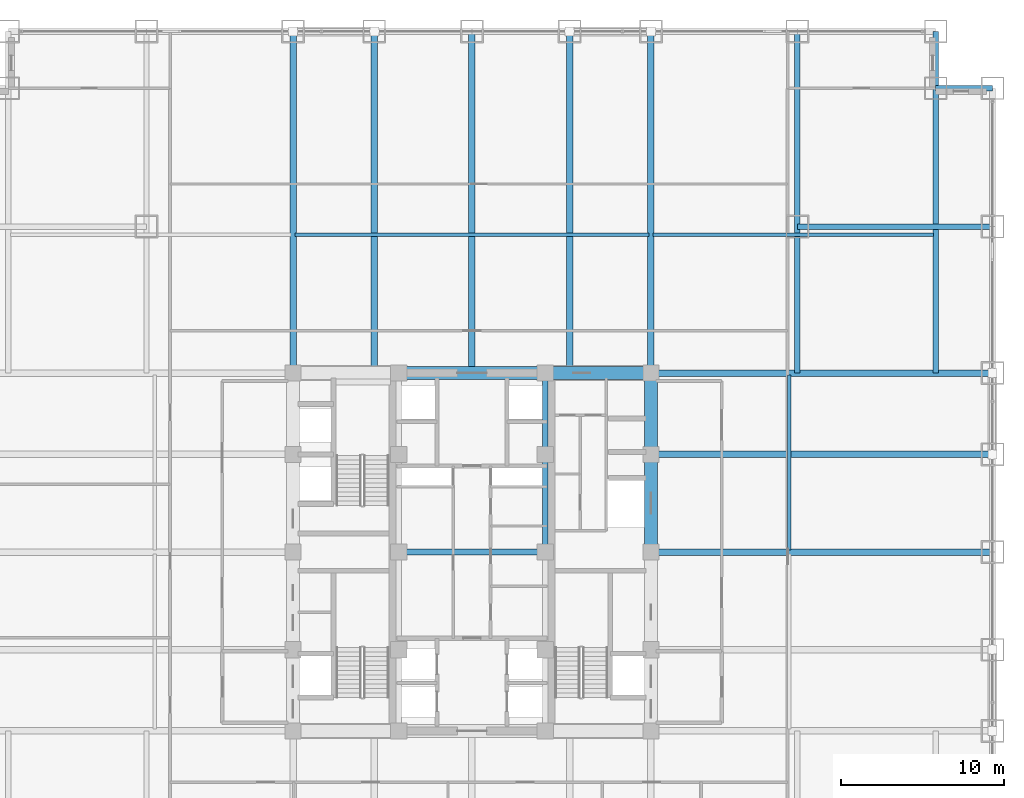
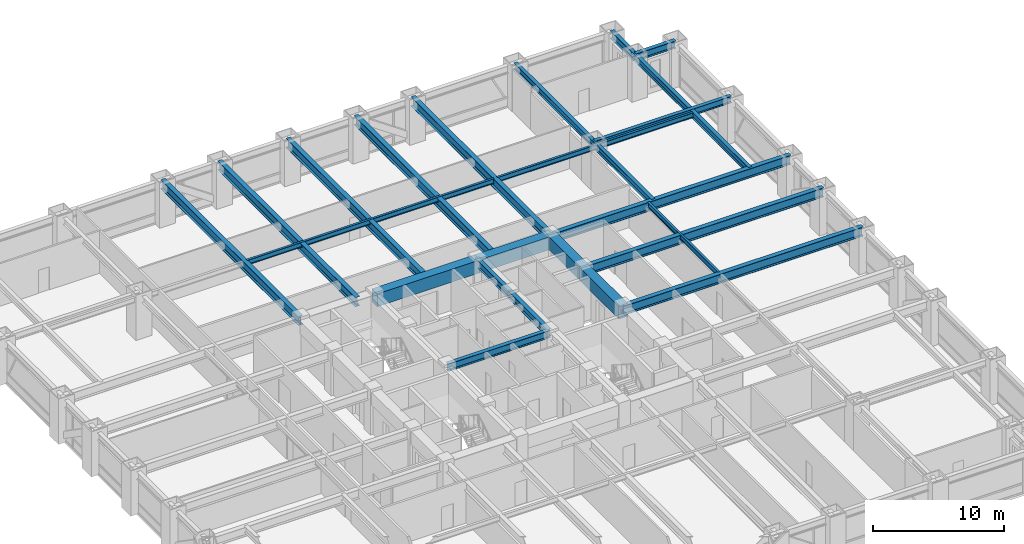
# One storey, part 15 of 27: 23 beams.
"""IFC4 building model written with IfcOpenShell, lengths in metres."""

import ifcopenshell
import ifcopenshell.guid

model = None  # the IFC model being written
_history = None  # IfcOwnerHistory: only IFC2X3 demands one
_inside = {}  # id of a spatial element -> (the spatial element, [elements in it])
_under = {}  # id of a project, library or spatial element -> (it, [spatial elements below it])
_declared = {}  # id of a project -> (the project, [libraries it declares])
_typed = {}  # id of a type object -> (the type object, [elements of that type])
_made_of = {}  # id of a material, layer set ... -> (it, [elements and type objects made of it])


def new_model(schema):
    """Start an empty IFC model of exactly this schema.

    Asked for "IFC4X3", IfcOpenShell would pick the latest addendum, in which some entities
    have other attributes; the version numbers below select the first issue.
    IFC2X3 requires an IfcOwnerHistory on every rooted entity: one is made here for all.
    """
    global model, _history
    if schema == "IFC4X3":
        model = ifcopenshell.file(schema_version=(4, 3, 0, 0))
    else:
        model = ifcopenshell.file(schema=schema)
    _inside.clear()
    _under.clear()
    _declared.clear()
    _typed.clear()
    _made_of.clear()
    _history = None
    if model.schema == "IFC2X3":
        org = make("IfcOrganization", Name="unknown")
        user = make(
            "IfcPersonAndOrganization",
            ThePerson=make("IfcPerson", FamilyName="unknown"),
            TheOrganization=org,
        )
        app = make(
            "IfcApplication",
            ApplicationDeveloper=org,
            Version="unknown",
            ApplicationFullName="unknown",
            ApplicationIdentifier="unknown",
        )
        _history = make(
            "IfcOwnerHistory",
            OwningUser=user,
            OwningApplication=app,
            ChangeAction="ADDED",
            CreationDate=0,
        )
    return model


def make(cls, **values):
    """One entity of the class cls with the attributes given. An attribute that is None is left unset."""
    return model.create_entity(
        cls, **{name: value for name, value in values.items() if value is not None}
    )


def rooted(cls, **values):
    """An entity with a GlobalId (a new one), such as an element, a storey or a relation."""
    return make(cls, GlobalId=ifcopenshell.guid.new(), OwnerHistory=_history, **values)


def si_unit(unit_type, name, prefix=None):
    """IfcSIUnit, for example si_unit("LENGTHUNIT", "METRE", prefix="MILLI")."""
    return make("IfcSIUnit", UnitType=unit_type, Prefix=prefix, Name=name)


def assignment(units):
    """IfcUnitAssignment: the units of a project."""
    return None if units is None else make("IfcUnitAssignment", Units=units)


def point(xyz):
    """IfcCartesianPoint."""
    return None if xyz is None else make("IfcCartesianPoint", Coordinates=xyz)


def direction(xyz):
    """IfcDirection."""
    return None if xyz is None else make("IfcDirection", DirectionRatios=xyz)


def frame(location, z_axis=None, x_axis=None):
    """IfcAxis2Placement3D, a coordinate frame: its origin and axes. An axis left out is left unset."""
    return make(
        "IfcAxis2Placement3D",
        Location=point(location),
        Axis=direction(z_axis),
        RefDirection=direction(x_axis),
    )


def frame_2d(location, x_axis=None):
    """IfcAxis2Placement2D, a coordinate frame in the plane: its origin and x axis."""
    return make(
        "IfcAxis2Placement2D", Location=point(location), RefDirection=direction(x_axis)
    )


def origin():
    """The frame at (0, 0, 0) with its axes left unset."""
    return frame((0.0, 0.0, 0.0))


def origin_2d():
    """The frame at (0, 0) in the plane with its x axis left unset."""
    return frame_2d((0.0, 0.0))


def place(relative_to, where):
    """IfcLocalPlacement: puts the frame where relative to a parent placement (None: the world)."""
    return make(
        "IfcLocalPlacement", PlacementRelTo=relative_to, RelativePlacement=where
    )


def context(
    kind, dimensions, precision=None, world=None, true_north=None, identifier=None
):
    """IfcGeometricRepresentationContext, for example the 3D "Model" context."""
    return make(
        "IfcGeometricRepresentationContext",
        ContextIdentifier=identifier,
        ContextType=kind,
        CoordinateSpaceDimension=dimensions,
        Precision=precision,
        WorldCoordinateSystem=world,
        TrueNorth=true_north,
    )


def subcontext(parent, identifier, kind, view, scale=None):
    """IfcGeometricRepresentationSubContext, for example "Body" below "Model"."""
    return make(
        "IfcGeometricRepresentationSubContext",
        ContextIdentifier=identifier,
        ContextType=kind,
        ParentContext=parent,
        TargetScale=scale,
        TargetView=view,
    )


def project(units=None, contexts=None):
    """IfcProject with its units and contexts."""
    return rooted(
        "IfcProject",
        Name="project",
        RepresentationContexts=contexts,
        UnitsInContext=assignment(units),
    )


def spatial(cls, under=None, at=None, **own):
    """A site, building, storey or space (cls), placed at a placement, below another one or the project."""
    s = rooted(cls, ObjectPlacement=at, **own)
    if under is not None:
        _under.setdefault(under.id(), (under, []))[1].append(s)
    return s


def profile(cls, at=None, kind="AREA", **sizes):
    """A parametric profile (cls). Its sizes go by their IFC names, for example OverallWidth=200.0."""
    return make(cls, ProfileType=kind, Position=at, **sizes)


def rectangle(**sizes):
    """IfcRectangleProfileDef."""
    return profile("IfcRectangleProfileDef", **sizes)


def i_section(**sizes):
    """IfcIShapeProfileDef."""
    return profile("IfcIShapeProfileDef", **sizes)


def extrude(swept, where, along, depth):
    """IfcExtrudedAreaSolid: the profile swept, set in the frame where, extruded along a direction by depth."""
    return make(
        "IfcExtrudedAreaSolid",
        SweptArea=swept,
        Position=where,
        ExtrudedDirection=direction(along),
        Depth=depth,
    )


def shape(context_of_items, identifier, shape_type, items):
    """IfcShapeRepresentation: the items that make up one representation, for example the "Body"."""
    return make(
        "IfcShapeRepresentation",
        ContextOfItems=context_of_items,
        RepresentationIdentifier=identifier,
        RepresentationType=shape_type,
        Items=items,
    )


def source(mapping_origin, context_of_items, identifier, shape_type, items):
    """IfcRepresentationMap: a shape defined once, which mapped items show again and again."""
    return make(
        "IfcRepresentationMap",
        MappingOrigin=mapping_origin,
        MappedRepresentation=shape(context_of_items, identifier, shape_type, items),
    )


def transform(
    local_origin,
    x_axis=None,
    y_axis=None,
    z_axis=None,
    scale=None,
    scale2=None,
    scale3=None,
    uniform=True,
):
    """IfcCartesianTransformationOperator3D, or its non-uniform kind. x_axis, y_axis, z_axis: its Axis1, 2, 3."""
    if uniform:
        return make(
            "IfcCartesianTransformationOperator3D",
            Axis1=direction(x_axis),
            Axis2=direction(y_axis),
            LocalOrigin=point(local_origin),
            Scale=scale,
            Axis3=direction(z_axis),
        )
    return make(
        "IfcCartesianTransformationOperator3DnonUniform",
        Axis1=direction(x_axis),
        Axis2=direction(y_axis),
        LocalOrigin=point(local_origin),
        Scale=scale,
        Axis3=direction(z_axis),
        Scale2=scale2,
        Scale3=scale3,
    )


def mapped(mapping_source, mapping_target):
    """IfcMappedItem: shows the shape of a source again, moved by a transform."""
    return make(
        "IfcMappedItem", MappingSource=mapping_source, MappingTarget=mapping_target
    )


def material(Name=None, Category=None):
    """IfcMaterial."""
    return make("IfcMaterial", Name=Name, Category=Category)


def material_profile(
    of_material, cross_section, Name=None, Category=None, Priority=None
):
    """IfcMaterialProfile: a cross section and its material."""
    return make(
        "IfcMaterialProfile",
        Name=Name,
        Material=of_material,
        Profile=cross_section,
        Priority=Priority,
        Category=Category,
    )


def profile_set(profiles, Name=None, composite=None):
    """IfcMaterialProfileSet."""
    return make(
        "IfcMaterialProfileSet",
        Name=Name,
        MaterialProfiles=profiles,
        CompositeProfile=composite,
    )


def made_of(thing, what):
    """Note that an element or type object is made of a material, layer set ...; save() writes the relation."""
    if what is not None:
        _made_of.setdefault(what.id(), (what, []))[1].append(thing)
    return thing


def type_object(cls, material=None, **own):
    """A type object (cls), such as IfcWallType, which elements share."""
    return made_of(rooted(cls, **own), material)


def element(
    cls,
    number,
    at=None,
    inside=None,
    cuts=None,
    type_object=None,
    material=None,
    context=None,
    identifier="Body",
    shape_type=None,
    held_by="IfcProductDefinitionShape",
    body=None,
    shapes=None,
    **own,
):
    """One element of the class cls, such as IfcWall. Its Tag is "e" and its number.

    at: its placement. inside: the storey or other place that contains it. cuts: it is an
    opening in that element (IfcRelVoidsElement). A single representation is given by context,
    identifier, shape_type and body (its items); several are given by shapes. held_by: the class
    of the entity that holds the representations. save() writes the other relations.
    """
    e = rooted(cls, Tag="e%d" % number, ObjectPlacement=at, **own)
    if body is not None:
        shapes = [shape(context, identifier, shape_type, body)]
    if shapes is not None:
        e.Representation = make(held_by, Representations=shapes)
    if inside is not None:
        _inside.setdefault(inside.id(), (inside, []))[1].append(e)
    if cuts is not None:
        rooted(
            "IfcRelVoidsElement", RelatingBuildingElement=cuts, RelatedOpeningElement=e
        )
    if type_object is not None:
        _typed.setdefault(type_object.id(), (type_object, []))[1].append(e)
    return made_of(e, material)


def aggregate(whole, parts):
    """IfcRelAggregates: a whole, such as a stair, and the parts it consists of."""
    return rooted("IfcRelAggregates", RelatingObject=whole, RelatedObjects=parts)


def save(model, path):
    """Write the relations noted so far, then the file.

    IfcRelAggregates (storeys below a building ...), IfcRelContainedInSpatialStructure (elements
    in a storey), IfcRelDefinesByType, IfcRelAssociatesMaterial and IfcRelDeclares: one each for
    every whole, place, type object, material and project.
    """
    for whole, parts in _under.values():
        aggregate(whole, parts)
    for where, things in _inside.values():
        rooted(
            "IfcRelContainedInSpatialStructure",
            RelatedElements=things,
            RelatingStructure=where,
        )
    for kind, things in _typed.values():
        rooted("IfcRelDefinesByType", RelatedObjects=things, RelatingType=kind)
    for what, things in _made_of.values():
        rooted("IfcRelAssociatesMaterial", RelatedObjects=things, RelatingMaterial=what)
    for by, libraries in _declared.values():
        rooted("IfcRelDeclares", RelatingContext=by, RelatedDefinitions=libraries)
    model.write(path)


model = new_model("IFC4")

# Units and contexts
model_context = context("Model", 3, precision=1e-05, world=origin(), true_north=direction((0.0, 1.0)))
body_context = subcontext(model_context, "Body", "Model", "MODEL_VIEW")
ifc_project = project(units=[si_unit("LENGTHUNIT", "METRE"), si_unit("AREAUNIT", "SQUARE_METRE"), si_unit("VOLUMEUNIT", "CUBIC_METRE"), si_unit("PLANEANGLEUNIT", "RADIAN"), si_unit("MASSUNIT", "GRAM", prefix="KILO")], contexts=[model_context])

# Site, building, storey
site_placement = place(None, origin())
site = spatial("IfcSite", under=ifc_project, at=site_placement, CompositionType="ELEMENT")
building_placement = place(site_placement, origin())
building = spatial("IfcBuilding", under=site, at=building_placement, Name="Khorayat Bourse Tower", CompositionType="ELEMENT")
storey_placement = place(building_placement, frame((0.0, 0.0, 45.199951171875)))
storey = spatial("IfcBuildingStorey", under=building, at=storey_placement, Name="L09", CompositionType="ELEMENT", Elevation=45.199951171875)

# Beams
ifc_material_1 = material(Name="Concrete C72/90", Category="concrete")
ifc_material_profile_1 = material_profile(ifc_material_1, rectangle(XDim=0.800048828125, YDim=1.199951171875, at=origin_2d()), Name="RC 800x1200")
ifc_profile_set_1 = profile_set([ifc_material_profile_1], Name="Concrete C72/90")
beam_type_1 = type_object("IfcBeamType", Name="BM-COUP-1200", PredefinedType="BEAM", material=ifc_profile_set_1)
shared_shape_1 = source(origin(), body_context, "Body", "SweptSolid", [
    extrude(rectangle(XDim=0.800048828125, YDim=1.199951171875, at=origin_2d()), origin(), (0.0, 0.0, 1.0), 5.0),
])
beam_1_placement = place(storey_placement, frame((11.0, 6.0, 3.340087890625), z_axis=(0.0, 1.0, 0.0), x_axis=(-1.0, 0.0, 0.0)))
element("IfcBeam", 1, at=beam_1_placement, inside=storey, type_object=beam_type_1, Name="L09 BM-COUP-1200 BM-L09-CRX-16", PredefinedType="BEAM", context=body_context, shape_type="MappedRepresentation", body=[
    mapped(shared_shape_1, transform((0.0, 0.0, 0.0), scale=1.0)),
])
shared_shape_2 = source(origin(), body_context, "Body", "SweptSolid", [
    extrude(rectangle(XDim=0.800048828125, YDim=1.199951171875, at=origin_2d()), origin(), (0.0, 0.0, 1.0), 6.0),
])
beam_2_placement = place(storey_placement, frame((11.0, 0.0, 3.340087890625), z_axis=(0.0, 1.0, 0.0), x_axis=(-1.0, 0.0, 0.0)))
element("IfcBeam", 2, at=beam_2_placement, inside=storey, type_object=beam_type_1, Name="L09 BM-COUP-1200 BM-L09-CRX-15", PredefinedType="BEAM", context=body_context, shape_type="MappedRepresentation", body=[
    mapped(shared_shape_2, transform((0.0, 0.0, 0.0), scale=1.0)),
])
ifc_material_2 = material(Name="Steel ASTM A992 Grade 50", Category="steel")
ifc_material_profile_2 = material_profile(ifc_material_2, i_section(OverallWidth=0.35498046875, OverallDepth=0.695068359375, WebThickness=0.015380859375, FlangeThickness=0.02490234375, FilletRadius=0.01806640625, at=origin_2d()), Name="W690X217")
ifc_profile_set_2 = profile_set([ifc_material_profile_2], Name="Steel ASTM A992 Grade 50")
beam_type_2 = type_object("IfcBeamType", Name="BM-GIRD-690", PredefinedType="BEAM", material=ifc_profile_set_2)
shared_shape_3 = source(origin(), body_context, "Body", "SweptSolid", [
    extrude(i_section(OverallWidth=0.35498046875, OverallDepth=0.695068359375, WebThickness=0.015380859375, FlangeThickness=0.02490234375, FilletRadius=0.01806640625, at=origin_2d()), origin(), (0.0, 0.0, 1.0), 5.0),
])
beam_3_placement = place(storey_placement, frame((4.5, 6.0, 3.592529296875), z_axis=(0.0, 1.0, 0.0), x_axis=(-1.0, 0.0, 0.0)))
element("IfcBeam", 3, at=beam_3_placement, inside=storey, type_object=beam_type_2, Name="L09 BM-GIRD-690 BM-L09-CRX-12", PredefinedType="BEAM", context=body_context, shape_type="MappedRepresentation", body=[
    mapped(shared_shape_3, transform((0.0, 0.0, 0.0), scale=1.0)),
])
shared_shape_4 = source(origin(), body_context, "Body", "SweptSolid", [
    extrude(i_section(OverallWidth=0.35498046875, OverallDepth=0.695068359375, WebThickness=0.015380859375, FlangeThickness=0.02490234375, FilletRadius=0.01806640625, at=origin_2d()), origin(), (0.0, 0.0, 1.0), 6.0),
])
beam_4_placement = place(storey_placement, frame((4.5, 0.0, 3.592529296875), z_axis=(0.0, 1.0, 0.0), x_axis=(-1.0, 0.0, 0.0)))
element("IfcBeam", 4, at=beam_4_placement, inside=storey, type_object=beam_type_2, Name="L09 BM-GIRD-690 BM-L09-CRX-11", PredefinedType="BEAM", context=body_context, shape_type="MappedRepresentation", body=[
    mapped(shared_shape_4, transform((0.0, 0.0, 0.0), scale=1.0)),
])
shared_shape_5 = source(origin(), body_context, "Body", "SweptSolid", [
    extrude(rectangle(XDim=0.800048828125, YDim=1.199951171875, at=origin_2d()), origin(), (0.0, 0.0, 1.0), 6.5),
])
beam_5_placement = place(storey_placement, frame((4.5, 11.0, 3.340087890625), z_axis=(1.0, 0.0, 0.0), x_axis=(0.0, 1.0, 0.0)))
element("IfcBeam", 5, at=beam_5_placement, inside=storey, type_object=beam_type_1, Name="L09 BM-COUP-1200 BM-L09-CRY-22", PredefinedType="BEAM", context=body_context, shape_type="MappedRepresentation", body=[
    mapped(shared_shape_5, transform((0.0, 0.0, 0.0), scale=1.0)),
])
shared_shape_6 = source(origin(), body_context, "Body", "SweptSolid", [
    extrude(rectangle(XDim=0.800048828125, YDim=1.199951171875, at=origin_2d()), origin(), (0.0, 0.0, 1.0), 9.0),
])
beam_6_placement = place(storey_placement, frame((-4.5, 11.0, 3.340087890625), z_axis=(1.0, 0.0, 0.0), x_axis=(0.0, 1.0, 0.0)))
element("IfcBeam", 6, at=beam_6_placement, inside=storey, type_object=beam_type_1, Name="L09 BM-COUP-1200 BM-L09-CRY-21", PredefinedType="BEAM", context=body_context, shape_type="MappedRepresentation", body=[
    mapped(shared_shape_6, transform((0.0, 0.0, 0.0), scale=1.0)),
])
shared_shape_7 = source(origin(), body_context, "Body", "SweptSolid", [
    extrude(i_section(OverallWidth=0.35498046875, OverallDepth=0.695068359375, WebThickness=0.015380859375, FlangeThickness=0.02490234375, FilletRadius=0.01806640625, at=origin_2d()), origin(), (0.0, 0.0, 1.0), 9.0),
])
beam_7_placement = place(storey_placement, frame((-4.5, 0.0, 3.592529296875), z_axis=(1.0, 0.0, 0.0), x_axis=(0.0, 1.0, 0.0)))
element("IfcBeam", 7, at=beam_7_placement, inside=storey, type_object=beam_type_2, Name="L09 BM-GIRD-690 BM-L09-CRY-23", PredefinedType="BEAM", context=body_context, shape_type="MappedRepresentation", body=[
    mapped(shared_shape_7, transform((0.0, 0.0, 0.0), scale=1.0)),
])
ifc_material_profile_3 = material_profile(ifc_material_2, i_section(OverallWidth=0.35498046875, OverallDepth=0.695068359375, WebThickness=0.015380859375, FlangeThickness=0.02490234375, FilletRadius=0.01806640625, at=origin_2d()), Name="W690X217")
ifc_profile_set_3 = profile_set([ifc_material_profile_3], Name="Steel ASTM A992 Grade 50")
beam_type_3 = type_object("IfcBeamType", Name="BM-SPAN-690", PredefinedType="SPANDREL", material=ifc_profile_set_3)
shared_shape_8 = source(origin(), body_context, "Body", "SweptSolid", [
    extrude(i_section(OverallWidth=0.35498046875, OverallDepth=0.695068359375, WebThickness=0.015380859375, FlangeThickness=0.02490234375, FilletRadius=0.01806640625, at=origin_2d()), origin(), (0.0, 0.0, 1.0), 3.5),
])
for number, where, z_axis, x_axis, name in (
    (8, (28.5, 28.5, 3.592529296875), (1.0, 0.0, 0.0), (0.0, 1.0, 0.0), "L09 BM-SPAN-690 BM-L09-SPN-042"),
    (9, (28.5, 28.5, 3.592529296875), (0.0, 1.0, 0.0), (-1.0, 0.0, 0.0), "L09 BM-SPAN-690 BM-L09-SPN-043"),
):
    element("IfcBeam", number, at=place(storey_placement, frame(where, z_axis=z_axis, x_axis=x_axis)), inside=storey, type_object=beam_type_3, Name=name, PredefinedType="SPANDREL", context=body_context, shape_type="MappedRepresentation", body=[
        mapped(shared_shape_8, transform((0.0, 0.0, 0.0), scale=1.0)),
    ])
ifc_material_profile_4 = material_profile(ifc_material_2, i_section(OverallWidth=0.39990234375, OverallDepth=0.85498046875, WebThickness=0.018310546875, FlangeThickness=0.029296875, FilletRadius=0.02001953125, at=origin_2d()), Name="W840X299")
ifc_profile_set_4 = profile_set([ifc_material_profile_4], Name="Steel ASTM A992 Grade 50")
beam_type_4 = type_object("IfcBeamType", Name="BM-GIRD-840", PredefinedType="BEAM", material=ifc_profile_set_4)
shared_shape_9 = source(origin(), body_context, "Body", "SweptSolid", [
    extrude(i_section(OverallWidth=0.39990234375, OverallDepth=0.85498046875, WebThickness=0.018310546875, FlangeThickness=0.029296875, FilletRadius=0.02001953125, at=origin_2d()), origin(), (0.0, 0.0, 1.0), 21.0),
])
for number, where, z_axis, x_axis, name in (
    (10, (-11.0, 11.0, 3.512451171875), (0.0, 1.0, 0.0), (-1.0, 0.0, 0.0), "L09 BM-GIRD-840 BM-L09-RADY-064"),
    (11, (-6.0, 11.0, 3.512451171875), (0.0, 1.0, 0.0), (-1.0, 0.0, 0.0), "L09 BM-GIRD-840 BM-L09-RADY-066"),
    (12, (0.0, 11.0, 3.512451171875), (0.0, 1.0, 0.0), (-1.0, 0.0, 0.0), "L09 BM-GIRD-840 BM-L09-RADY-068"),
    (13, (6.0, 11.0, 3.512451171875), (0.0, 1.0, 0.0), (-1.0, 0.0, 0.0), "L09 BM-GIRD-840 BM-L09-RADY-070"),
    (14, (11.0, 11.0, 3.512451171875), (0.0, 1.0, 0.0), (-1.0, 0.0, 0.0), "L09 BM-GIRD-840 BM-L09-RADY-072"),
    (15, (11.0, 0.0, 3.512451171875), (1.0, 0.0, 0.0), (0.0, 1.0, 0.0), "L09 BM-GIRD-840 BM-L09-RADX-078"),
    (16, (11.0, 6.0, 3.512451171875), (1.0, 0.0, 0.0), (0.0, 1.0, 0.0), "L09 BM-GIRD-840 BM-L09-RADX-080"),
    (17, (11.0, 11.0, 3.512451171875), (1.0, 0.0, 0.0), (0.0, 1.0, 0.0), "L09 BM-GIRD-840 BM-L09-RADX-082"),
):
    element("IfcBeam", number, at=place(storey_placement, frame(where, z_axis=z_axis, x_axis=x_axis)), inside=storey, type_object=beam_type_4, Name=name, PredefinedType="BEAM", context=body_context, shape_type="MappedRepresentation", body=[
        mapped(shared_shape_9, transform((0.0, 0.0, 0.0), scale=1.0)),
    ])
ifc_material_profile_5 = material_profile(ifc_material_2, i_section(OverallWidth=0.324951171875, OverallDepth=0.615966796875, WebThickness=0.013916015625, FlangeThickness=0.021484375, FilletRadius=0.01611328125, at=origin_2d()), Name="W610X174")
ifc_profile_set_5 = profile_set([ifc_material_profile_5], Name="Steel ASTM A992 Grade 50")
beam_type_5 = type_object("IfcBeamType", Name="BM-GIRD-610", PredefinedType="BEAM", material=ifc_profile_set_5)
shared_shape_10 = source(origin(), body_context, "Body", "SweptSolid", [
    extrude(i_section(OverallWidth=0.324951171875, OverallDepth=0.615966796875, WebThickness=0.013916015625, FlangeThickness=0.021484375, FilletRadius=0.01611328125, at=origin_2d()), origin(), (0.0, 0.0, 1.0), 21.0),
])
beam_8_placement = place(storey_placement, frame((20.0, 11.0, 3.632080078125), z_axis=(0.0, 1.0, 0.0), x_axis=(-1.0, 0.0, 0.0)))
element("IfcBeam", 18, at=beam_8_placement, inside=storey, type_object=beam_type_5, Name="L09 BM-GIRD-610 BM-L09-CNRY-087", PredefinedType="BEAM", context=body_context, shape_type="MappedRepresentation", body=[
    mapped(shared_shape_10, transform((0.0, 0.0, 0.0), scale=1.0)),
])
shared_shape_11 = source(origin(), body_context, "Body", "SweptSolid", [
    extrude(i_section(OverallWidth=0.324951171875, OverallDepth=0.615966796875, WebThickness=0.013916015625, FlangeThickness=0.021484375, FilletRadius=0.01611328125, at=origin_2d()), origin(), (0.0, 0.0, 1.0), 17.5),
])
beam_9_placement = place(storey_placement, frame((28.5, 11.0, 3.632080078125), z_axis=(0.0, 1.0, 0.0), x_axis=(-1.0, 0.0, 0.0)))
element("IfcBeam", 19, at=beam_9_placement, inside=storey, type_object=beam_type_5, Name="L09 BM-GIRD-610 BM-L09-CNRY-091", PredefinedType="BEAM", context=body_context, shape_type="MappedRepresentation", body=[
    mapped(shared_shape_11, transform((0.0, 0.0, 0.0), scale=1.0)),
])
shared_shape_12 = source(origin(), body_context, "Body", "SweptSolid", [
    extrude(i_section(OverallWidth=0.324951171875, OverallDepth=0.615966796875, WebThickness=0.013916015625, FlangeThickness=0.021484375, FilletRadius=0.01611328125, at=origin_2d()), origin(), (0.0, 0.0, 1.0), 12.0),
])
beam_10_placement = place(storey_placement, frame((20.0, 20.0, 3.632080078125), z_axis=(1.0, 0.0, 0.0), x_axis=(0.0, 1.0, 0.0)))
element("IfcBeam", 20, at=beam_10_placement, inside=storey, type_object=beam_type_5, Name="L09 BM-GIRD-610 BM-L09-CNRX-094", PredefinedType="BEAM", context=body_context, shape_type="MappedRepresentation", body=[
    mapped(shared_shape_12, transform((0.0, 0.0, 0.0), scale=1.0)),
])
ifc_material_profile_6 = material_profile(ifc_material_2, i_section(OverallWidth=0.194091796875, OverallDepth=0.468994140625, WebThickness=0.0126953125, FlangeThickness=0.0205078125, FilletRadius=0.012939453125, at=origin_2d()), Name="W460X106")
ifc_profile_set_6 = profile_set([ifc_material_profile_6], Name="Steel ASTM A992 Grade 50")
beam_type_6 = type_object("IfcBeamType", Name="BM-JOIST-460", PredefinedType="JOIST", material=ifc_profile_set_6)
shared_shape_13 = source(origin(), body_context, "Body", "SweptSolid", [
    extrude(i_section(OverallWidth=0.194091796875, OverallDepth=0.468994140625, WebThickness=0.0126953125, FlangeThickness=0.0205078125, FilletRadius=0.012939453125, at=origin_2d()), origin(), (0.0, 0.0, 1.0), 17.240234375),
])
beam_11_placement = place(storey_placement, frame((11.1298828125, 19.5, 3.70556640625), z_axis=(1.0, 0.0, 0.0), x_axis=(0.0, 1.0, 0.0)))
element("IfcBeam", 21, at=beam_11_placement, inside=storey, type_object=beam_type_6, Name="L09 BM-JOIST-460 BM-L09-JSTX-101", PredefinedType="JOIST", context=body_context, shape_type="MappedRepresentation", body=[
    mapped(shared_shape_13, transform((0.0, 0.0, 0.0), scale=1.0)),
])
shared_shape_14 = source(origin(), body_context, "Body", "SweptSolid", [
    extrude(i_section(OverallWidth=0.194091796875, OverallDepth=0.468994140625, WebThickness=0.0126953125, FlangeThickness=0.0205078125, FilletRadius=0.012939453125, at=origin_2d()), origin(), (0.0, 0.0, 1.0), 21.740234375),
])
beam_12_placement = place(storey_placement, frame((-10.8701171875, 19.5, 3.70556640625), z_axis=(1.0, 0.0, 0.0), x_axis=(0.0, 1.0, 0.0)))
element("IfcBeam", 22, at=beam_12_placement, inside=storey, type_object=beam_type_6, Name="L09 BM-JOIST-460 BM-L09-JSTX-100", PredefinedType="JOIST", context=body_context, shape_type="MappedRepresentation", body=[
    mapped(shared_shape_14, transform((0.0, 0.0, 0.0), scale=1.0)),
])
shared_shape_15 = source(origin(), body_context, "Body", "SweptSolid", [
    extrude(i_section(OverallWidth=0.194091796875, OverallDepth=0.468994140625, WebThickness=0.0126953125, FlangeThickness=0.0205078125, FilletRadius=0.012939453125, at=origin_2d()), origin(), (0.0, 0.0, 1.0), 10.740234375),
])
beam_13_placement = place(storey_placement, frame((19.5, 0.1298828125, 3.70556640625), z_axis=(0.0, 1.0, 0.0), x_axis=(-1.0, 0.0, 0.0)))
element("IfcBeam", 23, at=beam_13_placement, inside=storey, type_object=beam_type_6, Name="L09 BM-JOIST-460 BM-L09-JSTY-105", PredefinedType="JOIST", context=body_context, shape_type="MappedRepresentation", body=[
    mapped(shared_shape_15, transform((0.0, 0.0, 0.0), scale=1.0)),
])

save(model, "model.ifc")
